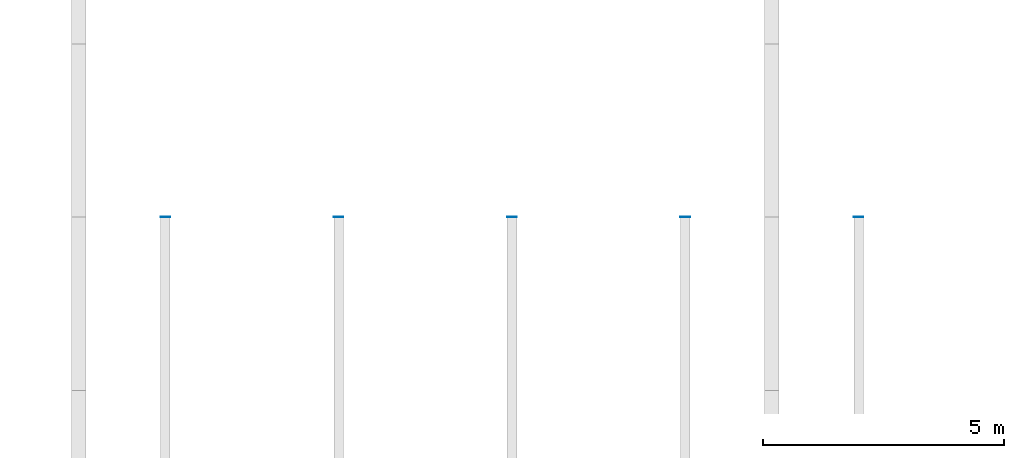
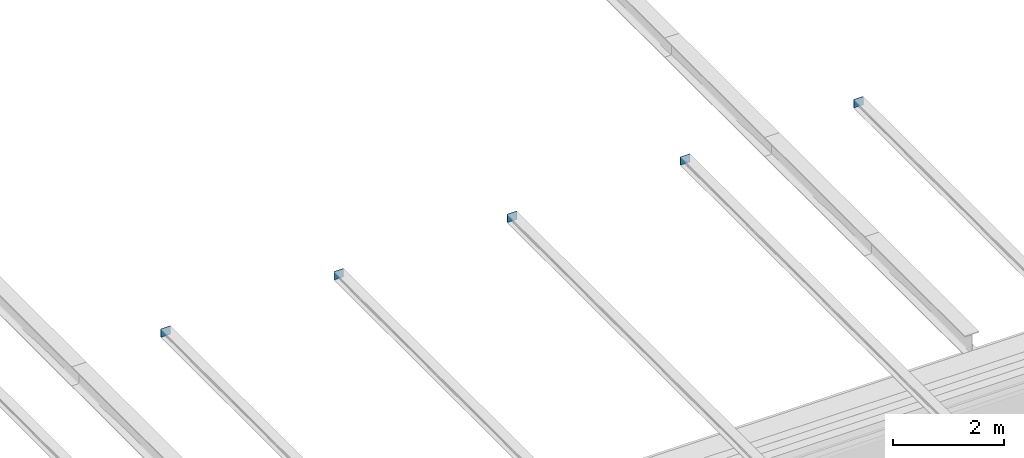
# One storey, part 59 of 110: 5 discrete accessories.
"""IFC4 building model written with IfcOpenShell, lengths in metres."""

from ifc_helpers import new_model, si_unit, direction, frame, origin, origin_2d, place, context, subcontext, project, spatial, rectangle, extrude, material, layer, layer_set, type_object, element, save


model = new_model("IFC4")

# Units and contexts
model_context = context("Model", 3, precision=1e-05, world=origin(), true_north=direction((0.0, 1.0)))
body_context = subcontext(model_context, "Body", "Model", "MODEL_VIEW")
ifc_project = project(units=[si_unit("LENGTHUNIT", "METRE"), si_unit("AREAUNIT", "SQUARE_METRE"), si_unit("VOLUMEUNIT", "CUBIC_METRE"), si_unit("PLANEANGLEUNIT", "RADIAN"), si_unit("MASSUNIT", "GRAM", prefix="KILO")], contexts=[model_context])

# Site, building, storey
site_placement = place(None, origin())
site = spatial("IfcSite", under=ifc_project, at=site_placement, CompositionType="ELEMENT")
building_placement = place(site_placement, origin())
building = spatial("IfcBuilding", under=site, at=building_placement, Name="Kupolbacken Congress Centre", CompositionType="ELEMENT")
storey_placement = place(building_placement, frame((0.0, 0.0, 18.0)))
storey = spatial("IfcBuildingStorey", under=building, at=storey_placement, Name="L05", CompositionType="ELEMENT", Elevation=18.0)

# Discrete accessories
ifc_material = material(Name="Steel S355", Category="steel")
ifc_layer = layer(ifc_material, 0.011962890625)
ifc_layer_set = layer_set([ifc_layer], Name="Steel S355")
discrete_accessory_type = type_object("IfcDiscreteAccessoryType", Name="BK3 bracket end plate 200 x 180 x 12", PredefinedType="BRACKET", material=ifc_layer_set)
for number, where, z_axis, x_axis, name in (
    (1, (138.60009765625, 50.406005859375, 3.60009765625), (0.0, 0.0, 1.0), (1.0, 0.0, 0.0), "Eave bracket end plate S15"),
    (2, (142.199951171875, 50.406005859375, 3.60009765625), (0.0, 0.0, 1.0), (1.0, 0.0, 0.0), "Eave bracket end plate S16"),
    (3, (145.800048828125, 50.406005859375, 3.60009765625), (0.0, 0.0, 1.0), (1.0, 0.0, 0.0), "Eave bracket end plate S17"),
    (4, (149.39990234375, 50.406005859375, 3.60009765625), (0.0, 0.0, 1.0), (1.0, 0.0, 0.0), "Eave bracket end plate S18"),
    (5, (153.0, 50.406005859375, 3.60009765625), (0.0, 0.0, 1.0), (1.0, 0.0, 0.0), "Eave bracket end plate S19"),
):
    element("IfcDiscreteAccessory", number, at=place(storey_placement, frame(where, z_axis=z_axis, x_axis=x_axis)), inside=storey, type_object=discrete_accessory_type, Name=name, PredefinedType="BRACKET", context=body_context, shape_type="SweptSolid", body=[
        extrude(rectangle(XDim=0.199951171875, YDim=0.011962890625, at=origin_2d()), origin(), (0.0, 0.0, 1.0), 0.179931640625),
    ])

save(model, "model.ifc")
